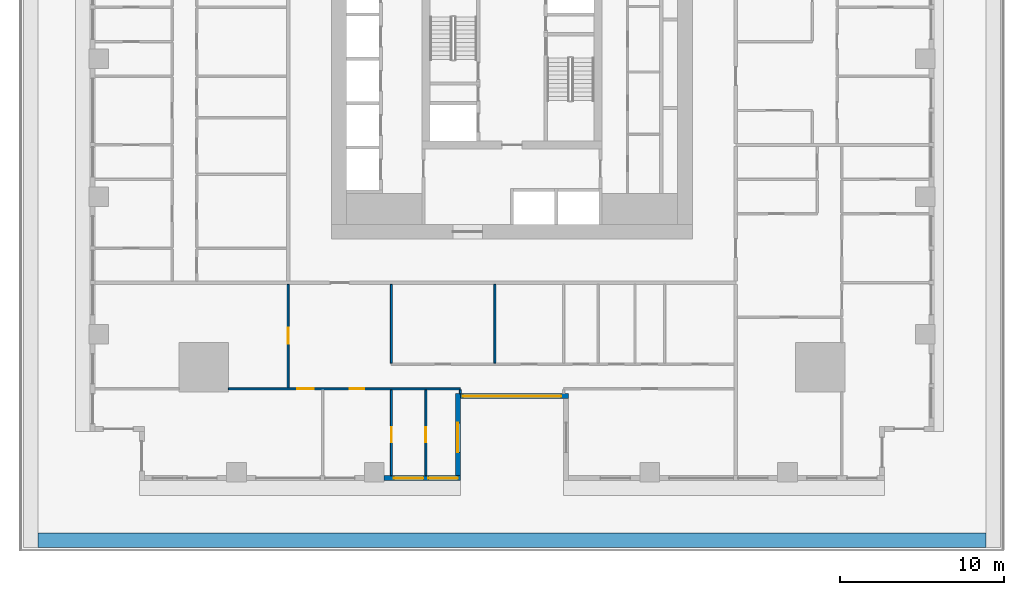
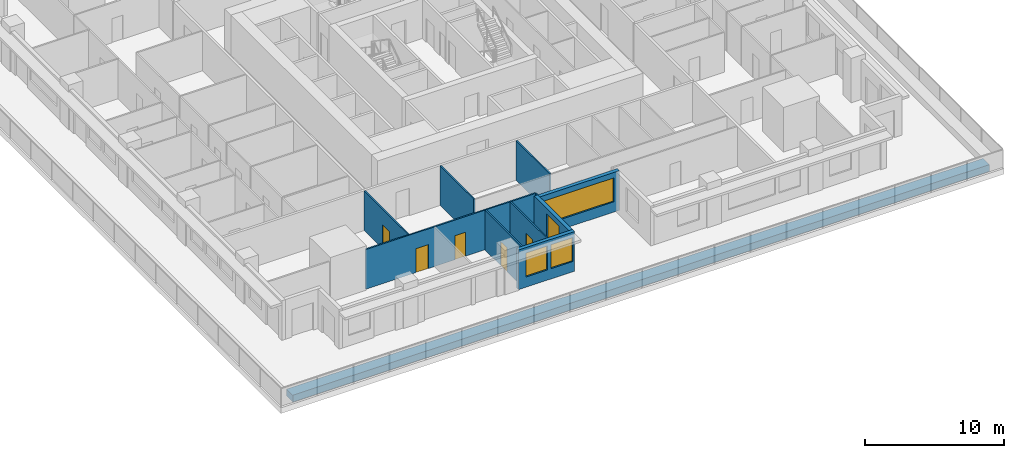
# One storey, part 2 of 16: 11 walls, 5 doors, 4 windows, 9 openings.
"""IFC4 building model written with IfcOpenShell, lengths in metres."""

from ifc_helpers import new_model, si_unit, direction, frame, frame_2d, origin, place, context, subcontext, project, spatial, rectangle, extrude, material, layer, layer_set, type_object, element, fill, save


model = new_model("IFC4")

# Units and contexts
model_context = context("Model", 3, precision=1e-05, world=origin(), true_north=direction((0.0, 1.0)))
body_context = subcontext(model_context, "Body", "Model", "MODEL_VIEW")
ifc_project = project(units=[si_unit("LENGTHUNIT", "METRE"), si_unit("AREAUNIT", "SQUARE_METRE"), si_unit("VOLUMEUNIT", "CUBIC_METRE"), si_unit("PLANEANGLEUNIT", "RADIAN"), si_unit("MASSUNIT", "GRAM", prefix="KILO")], contexts=[model_context])

# Site, building, storey
site_placement = place(None, origin())
site = spatial("IfcSite", under=ifc_project, at=site_placement, CompositionType="ELEMENT")
building_placement = place(site_placement, origin())
building = spatial("IfcBuilding", under=site, at=building_placement, Name="Khepri Terraces", CompositionType="ELEMENT")
storey_placement = place(building_placement, frame((0.0, 0.0, 27.0)))
storey = spatial("IfcBuildingStorey", under=building, at=storey_placement, Name="L05", CompositionType="ELEMENT", Elevation=27.0)

# Wall, openings, windows
ifc_material_1 = material(Name="Precast concrete C50/60 warm stone", Category="masonry")
ifc_layer_1 = layer(ifc_material_1, 0.300048828125, Name="Precast concrete C50/60 warm stone", Category="masonry")
ifc_layer_set_1 = layer_set([ifc_layer_1], Name="Precast concrete C50/60 warm stone")
wall_type_1 = type_object("IfcWallType", Name="WL-EXT-PRECAST-300", PredefinedType="STANDARD", material=ifc_layer_set_1)
wall_1_placement = place(storey_placement, frame((-7.800048828125, -25.570068359375, 0.0), z_axis=(0.0, 0.0, 1.0), x_axis=(1.0, 0.0, 0.0)))
wall_1 = element("IfcWall", 1, at=wall_1_placement, inside=storey, type_object=wall_type_1, Name="External wall L05 S", PredefinedType="STANDARD", context=body_context, shape_type="SweptSolid", body=[
    extrude(rectangle(XDim=4.650146484375, YDim=0.300048828125, at=frame_2d((2.3251953125, 0.0))), origin(), (0.0, 0.0, 1.0), 3.47998046875),
])
opening_1_placement = place(wall_1_placement, frame((0.60009765625, 0.0, 0.89990234375)))
opening_1 = element("IfcOpeningElement", 2, at=opening_1_placement, cuts=wall_1, Name="Opening W1", PredefinedType="OPENING", context=body_context, shape_type="SweptSolid", body=[
    extrude(rectangle(XDim=1.800048828125, YDim=2.10009765625, at=frame_2d((0.89990234375, 1.050048828125))), frame((0.0, 0.16015625, 0.0), z_axis=(0.0, -1.0, 0.0), x_axis=(1.0, 0.0, 0.0)), (0.0, 0.0, 1.0), 0.320068359375),
])
opening_2_placement = place(wall_1_placement, frame((2.699951171875, 0.0, 0.89990234375)))
opening_2 = element("IfcOpeningElement", 3, at=opening_2_placement, cuts=wall_1, Name="Opening W1", PredefinedType="OPENING", context=body_context, shape_type="SweptSolid", body=[
    extrude(rectangle(XDim=1.800048828125, YDim=2.10009765625, at=frame_2d((0.89990234375, 1.050048828125))), frame((0.0, 0.16015625, 0.0), z_axis=(0.0, -1.0, 0.0), x_axis=(1.0, 0.0, 0.0)), (0.0, 0.0, 1.0), 0.320068359375),
])
ifc_material_2 = material(Name="Clear glass", Category="glass")
window_type_1 = type_object("IfcWindowType", Name="WIN-RES-1800x2100", PartitioningType="SINGLE_PANEL", PredefinedType="WINDOW", material=ifc_material_2)
window_1_placement = place(opening_1_placement, origin())
window_1 = element("IfcWindow", 4, at=window_1_placement, inside=storey, type_object=window_type_1, Name="Window L05 S", OverallHeight=2.10009765625, OverallWidth=1.800048828125, PartitioningType="SINGLE_PANEL", PredefinedType="WINDOW", context=body_context, shape_type="SweptSolid", body=[
    extrude(rectangle(XDim=1.800048828125, YDim=2.10009765625, at=frame_2d((0.89990234375, 1.050048828125))), frame((0.0, 0.030029296875, 0.0), z_axis=(0.0, -1.0, 0.0), x_axis=(1.0, 0.0, 0.0)), (0.0, 0.0, 1.0), 0.06005859375),
])
fill(opening_1, window_1)
window_2_placement = place(opening_2_placement, origin())
window_2 = element("IfcWindow", 5, at=window_2_placement, inside=storey, type_object=window_type_1, Name="Window L05 S", OverallHeight=2.10009765625, OverallWidth=1.800048828125, PartitioningType="SINGLE_PANEL", PredefinedType="WINDOW", context=body_context, shape_type="SweptSolid", body=[
    extrude(rectangle(XDim=1.800048828125, YDim=2.10009765625, at=frame_2d((0.89990234375, 1.050048828125))), frame((0.0, 0.030029296875, 0.0), z_axis=(0.0, -1.0, 0.0), x_axis=(1.0, 0.0, 0.0)), (0.0, 0.0, 1.0), 0.06005859375),
])
fill(opening_2, window_2)

# Wall, opening, window
wall_2_placement = place(storey_placement, frame((-3.300048828125, -25.419921875, 0.0), z_axis=(0.0, 0.0, 1.0), x_axis=(0.0, 1.0, 0.0)))
wall_2 = element("IfcWall", 6, at=wall_2_placement, inside=storey, type_object=wall_type_1, Name="External wall L05 E", PredefinedType="STANDARD", context=body_context, shape_type="SweptSolid", body=[
    extrude(rectangle(XDim=5.0, YDim=0.300048828125, at=frame_2d((2.5, 0.0))), origin(), (0.0, 0.0, 1.0), 3.47998046875),
])
opening_3_placement = place(wall_2_placement, frame((1.419921875, 0.0, 0.89990234375)))
opening_3 = element("IfcOpeningElement", 7, at=opening_3_placement, cuts=wall_2, Name="Opening W1", PredefinedType="OPENING", context=body_context, shape_type="SweptSolid", body=[
    extrude(rectangle(XDim=1.800048828125, YDim=2.10009765625, at=frame_2d((0.89990234375, 1.050048828125))), frame((0.0, 0.16015625, 0.0), z_axis=(0.0, -1.0, 0.0), x_axis=(1.0, 0.0, 0.0)), (0.0, 0.0, 1.0), 0.320068359375),
])
window_3_placement = place(opening_3_placement, origin())
window_3 = element("IfcWindow", 8, at=window_3_placement, inside=storey, type_object=window_type_1, Name="Window L05 E", OverallHeight=2.10009765625, OverallWidth=1.800048828125, PartitioningType="SINGLE_PANEL", PredefinedType="WINDOW", context=body_context, shape_type="SweptSolid", body=[
    extrude(rectangle(XDim=1.800048828125, YDim=2.10009765625, at=frame_2d((0.89990234375, 1.050048828125))), frame((0.0, 0.030029296875, 0.0), z_axis=(0.0, -1.0, 0.0), x_axis=(1.0, 0.0, 0.0)), (0.0, 0.0, 1.0), 0.06005859375),
])
fill(opening_3, window_3)

wall_3_placement = place(storey_placement, frame((-3.14990234375, -20.570068359375, 0.0), z_axis=(0.0, 0.0, 1.0), x_axis=(1.0, 0.0, 0.0)))
wall_3 = element("IfcWall", 9, at=wall_3_placement, inside=storey, type_object=wall_type_1, Name="External wall L05 S", PredefinedType="STANDARD", context=body_context, shape_type="SweptSolid", body=[
    extrude(rectangle(XDim=6.599853515625, YDim=0.300048828125, at=frame_2d((3.2998046875, 0.0))), origin(), (0.0, 0.0, 1.0), 3.47998046875),
])
opening_4_placement = place(wall_3_placement, frame((0.14990234375, 0.0, 0.89990234375)))
opening_4 = element("IfcOpeningElement", 10, at=opening_4_placement, cuts=wall_3, Name="Opening W3", PredefinedType="OPENING", context=body_context, shape_type="SweptSolid", body=[
    extrude(rectangle(XDim=6.0, YDim=2.10009765625, at=frame_2d((3.0, 1.050048828125))), frame((0.0, 0.16015625, 0.0), z_axis=(0.0, -1.0, 0.0), x_axis=(1.0, 0.0, 0.0)), (0.0, 0.0, 1.0), 0.320068359375),
])
window_type_2 = type_object("IfcWindowType", Name="WIN-RES-6000x2100", PartitioningType="SINGLE_PANEL", PredefinedType="WINDOW", material=ifc_material_2)
window_4_placement = place(opening_4_placement, origin())
window_4 = element("IfcWindow", 11, at=window_4_placement, inside=storey, type_object=window_type_2, Name="Window L05 S", OverallHeight=2.10009765625, OverallWidth=6.0, PartitioningType="SINGLE_PANEL", PredefinedType="WINDOW", context=body_context, shape_type="SweptSolid", body=[
    extrude(rectangle(XDim=6.0, YDim=2.10009765625, at=frame_2d((3.0, 1.050048828125))), frame((0.0, 0.030029296875, 0.0), z_axis=(0.0, -1.0, 0.0), x_axis=(1.0, 0.0, 0.0)), (0.0, 0.0, 1.0), 0.06005859375),
])
fill(opening_4, window_4)

# Wall, opening, door
ifc_material_3 = material(Name="Gypsum plasterboard partition")
ifc_layer_2 = layer(ifc_material_3, 0.1201171875, Name="Gypsum plasterboard partition")
ifc_layer_set_2 = layer_set([ifc_layer_2], Name="Gypsum plasterboard partition")
wall_type_2 = type_object("IfcWallType", Name="WL-PART-120", PredefinedType="PARTITIONING", material=ifc_layer_set_2)
wall_4_placement = place(storey_placement, frame((-7.35009765625, -25.419921875, 0.0), z_axis=(0.0, 0.0, 1.0), x_axis=(0.0, 1.0, 0.0)))
wall_4 = element("IfcWall", 12, at=wall_4_placement, inside=storey, type_object=wall_type_2, Name="Partition P-002 L05", PredefinedType="PARTITIONING", context=body_context, shape_type="SweptSolid", body=[
    extrude(rectangle(XDim=5.239990234375, YDim=0.1201171875, at=frame_2d((2.6201171875, 0.0))), origin(), (0.0, 0.0, 1.0), 3.47998046875),
])
opening_5_placement = place(wall_4_placement, frame((2.050048828125, 0.0, 0.0)))
opening_5 = element("IfcOpeningElement", 13, at=opening_5_placement, cuts=wall_4, Name="Opening D3", PredefinedType="OPENING", context=body_context, shape_type="SweptSolid", body=[
    extrude(rectangle(XDim=0.89990234375, YDim=2.10009765625, at=frame_2d((0.449951171875, 1.050048828125))), frame((0.0, 0.070068359375, 0.0), z_axis=(0.0, -1.0, 0.0), x_axis=(1.0, 0.0, 0.0)), (0.0, 0.0, 1.0), 0.14013671875),
])
ifc_material_4 = material(Name="Timber door leaf", Category="wood")
door_type_1 = type_object("IfcDoorType", Name="DR-INT-900", OperationType="NOTDEFINED", PredefinedType="DOOR", material=ifc_material_4)
door_1_placement = place(opening_5_placement, frame((0.89990234375, 0.0, 0.0), z_axis=(0.0, 0.0, 1.0), x_axis=(-1.0, 0.0, 0.0)))
door_1 = element("IfcDoor", 14, at=door_1_placement, inside=storey, type_object=door_type_1, Name="Door Dressing Room", OperationType="SINGLE_SWING_RIGHT", OverallHeight=2.10009765625, OverallWidth=0.89990234375, PredefinedType="DOOR", context=body_context, shape_type="SweptSolid", body=[
    extrude(rectangle(XDim=0.89990234375, YDim=2.10009765625, at=frame_2d((0.449951171875, 1.050048828125))), frame((0.0, 0.02490234375, 0.0), z_axis=(0.0, -1.0, 0.0), x_axis=(1.0, 0.0, 0.0)), (0.0, 0.0, 1.0), 0.050048828125),
])
fill(opening_5, door_1)

wall_5_placement = place(storey_placement, frame((-5.25, -25.419921875, 0.0), z_axis=(0.0, 0.0, 1.0), x_axis=(0.0, 1.0, 0.0)))
wall_5 = element("IfcWall", 15, at=wall_5_placement, inside=storey, type_object=wall_type_2, Name="Partition P-003 L05", PredefinedType="PARTITIONING", context=body_context, shape_type="SweptSolid", body=[
    extrude(rectangle(XDim=5.239990234375, YDim=0.1201171875, at=frame_2d((2.6201171875, 0.0))), origin(), (0.0, 0.0, 1.0), 3.47998046875),
])
opening_6_placement = place(wall_5_placement, frame((2.050048828125, 0.0, 0.0)))
opening_6 = element("IfcOpeningElement", 16, at=opening_6_placement, cuts=wall_5, Name="Opening D4", PredefinedType="OPENING", context=body_context, shape_type="SweptSolid", body=[
    extrude(rectangle(XDim=0.89990234375, YDim=2.10009765625, at=frame_2d((0.449951171875, 1.050048828125))), frame((0.0, 0.070068359375, 0.0), z_axis=(0.0, -1.0, 0.0), x_axis=(1.0, 0.0, 0.0)), (0.0, 0.0, 1.0), 0.14013671875),
])
ifc_material_5 = material(Name="Timber door leaf, moisture resistant", Category="wood")
door_type_2 = type_object("IfcDoorType", Name="DR-WET-900", OperationType="NOTDEFINED", PredefinedType="DOOR", material=ifc_material_5)
door_2_placement = place(opening_6_placement, frame((0.89990234375, 0.0, 0.0), z_axis=(0.0, 0.0, 1.0), x_axis=(-1.0, 0.0, 0.0)))
door_2 = element("IfcDoor", 17, at=door_2_placement, inside=storey, type_object=door_type_2, Name="Door Bathroom", OperationType="SINGLE_SWING_RIGHT", OverallHeight=2.10009765625, OverallWidth=0.89990234375, PredefinedType="DOOR", context=body_context, shape_type="SweptSolid", body=[
    extrude(rectangle(XDim=0.89990234375, YDim=2.10009765625, at=frame_2d((0.449951171875, 1.050048828125))), frame((0.0, 0.02490234375, 0.0), z_axis=(0.0, -1.0, 0.0), x_axis=(1.0, 0.0, 0.0)), (0.0, 0.0, 1.0), 0.050048828125),
])
fill(opening_6, door_2)

# Wall
wall_6_placement = place(storey_placement, frame((-3.14990234375, -20.419921875, 0.0), z_axis=(0.0, 0.0, 1.0), x_axis=(0.0, 1.0, 0.0)))
element("IfcWall", 18, at=wall_6_placement, inside=storey, type_object=wall_type_2, Name="Partition P-006 L05", PredefinedType="PARTITIONING", context=body_context, shape_type="SweptSolid", body=[
    extrude(rectangle(XDim=0.239990234375, YDim=0.1201171875, at=frame_2d((0.1201171875, 0.0))), origin(), (0.0, 0.0, 1.0), 3.47998046875),
])

# Wall, openings, doors
wall_7_placement = place(storey_placement, frame((-17.300048828125, -20.1201171875, 0.0), z_axis=(0.0, 0.0, 1.0), x_axis=(1.0, 0.0, 0.0)))
wall_7 = element("IfcWall", 19, at=wall_7_placement, inside=storey, type_object=wall_type_2, Name="Partition P-009 L05", PredefinedType="PARTITIONING", context=body_context, shape_type="SweptSolid", body=[
    extrude(rectangle(XDim=14.150146484375, YDim=0.1201171875, at=frame_2d((7.0751953125, 0.0))), origin(), (0.0, 0.0, 1.0), 3.47998046875),
])
opening_7_placement = place(wall_7_placement, frame((4.199951171875, 0.0, 0.0)))
opening_7 = element("IfcOpeningElement", 20, at=opening_7_placement, cuts=wall_7, Name="Opening D2", PredefinedType="OPENING", context=body_context, shape_type="SweptSolid", body=[
    extrude(rectangle(XDim=1.0, YDim=2.10009765625, at=frame_2d((0.5, 1.050048828125))), frame((0.0, 0.070068359375, 0.0), z_axis=(0.0, -1.0, 0.0), x_axis=(1.0, 0.0, 0.0)), (0.0, 0.0, 1.0), 0.14013671875),
])
opening_8_placement = place(wall_7_placement, frame((7.39990234375, 0.0, 0.0)))
opening_8 = element("IfcOpeningElement", 21, at=opening_8_placement, cuts=wall_7, Name="Opening D3", PredefinedType="OPENING", context=body_context, shape_type="SweptSolid", body=[
    extrude(rectangle(XDim=0.89990234375, YDim=2.10009765625, at=frame_2d((0.449951171875, 1.050048828125))), frame((0.0, 0.070068359375, 0.0), z_axis=(0.0, -1.0, 0.0), x_axis=(1.0, 0.0, 0.0)), (0.0, 0.0, 1.0), 0.14013671875),
])
ifc_material_6 = material(Name="Timber door leaf, living room door", Category="wood")
door_type_3 = type_object("IfcDoorType", Name="DR-INT-1000", OperationType="NOTDEFINED", PredefinedType="DOOR", material=ifc_material_6)
door_3_placement = place(opening_7_placement, frame((1.0, 0.0, 0.0), z_axis=(0.0, 0.0, 1.0), x_axis=(-1.0, 0.0, 0.0)))
door_3 = element("IfcDoor", 22, at=door_3_placement, inside=storey, type_object=door_type_3, Name="Door Living Room", OperationType="SINGLE_SWING_RIGHT", OverallHeight=2.10009765625, OverallWidth=1.0, PredefinedType="DOOR", context=body_context, shape_type="SweptSolid", body=[
    extrude(rectangle(XDim=1.0, YDim=2.10009765625, at=frame_2d((0.5, 1.050048828125))), frame((0.0, 0.02490234375, 0.0), z_axis=(0.0, -1.0, 0.0), x_axis=(1.0, 0.0, 0.0)), (0.0, 0.0, 1.0), 0.050048828125),
])
fill(opening_7, door_3)
door_4_placement = place(opening_8_placement, frame((0.89990234375, 0.0, 0.0), z_axis=(0.0, 0.0, 1.0), x_axis=(-1.0, 0.0, 0.0)))
door_4 = element("IfcDoor", 23, at=door_4_placement, inside=storey, type_object=door_type_1, Name="Door Master Bedroom", OperationType="SINGLE_SWING_LEFT", OverallHeight=2.10009765625, OverallWidth=0.89990234375, PredefinedType="DOOR", context=body_context, shape_type="SweptSolid", body=[
    extrude(rectangle(XDim=0.89990234375, YDim=2.10009765625, at=frame_2d((0.449951171875, 1.050048828125))), frame((0.0, 0.02490234375, 0.0), z_axis=(0.0, -1.0, 0.0), x_axis=(1.0, 0.0, 0.0)), (0.0, 0.0, 1.0), 0.050048828125),
])
fill(opening_8, door_4)

# Wall, opening, door
wall_8_placement = place(storey_placement, frame((-13.64990234375, -20.06005859375, 0.0), z_axis=(0.0, 0.0, 1.0), x_axis=(0.0, 1.0, 0.0)))
wall_8 = element("IfcWall", 24, at=wall_8_placement, inside=storey, type_object=wall_type_2, Name="Partition P-011 L05", PredefinedType="PARTITIONING", context=body_context, shape_type="SweptSolid", body=[
    extrude(rectangle(XDim=6.31005859375, YDim=0.1201171875, at=frame_2d((3.155029296875, 0.0))), origin(), (0.0, 0.0, 1.0), 3.47998046875),
])
opening_9_placement = place(wall_8_placement, frame((2.675048828125, 0.0, 0.0)))
opening_9 = element("IfcOpeningElement", 25, at=opening_9_placement, cuts=wall_8, Name="Opening D2", PredefinedType="OPENING", context=body_context, shape_type="SweptSolid", body=[
    extrude(rectangle(XDim=1.0, YDim=2.10009765625, at=frame_2d((0.5, 1.050048828125))), frame((0.0, 0.070068359375, 0.0), z_axis=(0.0, -1.0, 0.0), x_axis=(1.0, 0.0, 0.0)), (0.0, 0.0, 1.0), 0.14013671875),
])
door_5_placement = place(opening_9_placement, origin())
door_5 = element("IfcDoor", 26, at=door_5_placement, inside=storey, type_object=door_type_3, Name="Door Family Room", OperationType="SINGLE_SWING_RIGHT", OverallHeight=2.10009765625, OverallWidth=1.0, PredefinedType="DOOR", context=body_context, shape_type="SweptSolid", body=[
    extrude(rectangle(XDim=1.0, YDim=2.10009765625, at=frame_2d((0.5, 1.050048828125))), frame((0.0, 0.02490234375, 0.0), z_axis=(0.0, -1.0, 0.0), x_axis=(1.0, 0.0, 0.0)), (0.0, 0.0, 1.0), 0.050048828125),
])
fill(opening_9, door_5)

# Walls
for number, where, z_axis, x_axis, name in (
    (27, (-7.35009765625, -18.56005859375, 0.0), (0.0, 0.0, 1.0), (0.0, 1.0, 0.0), "Partition P-013 L05"),
    (28, (-1.050048828125, -18.56005859375, 0.0), (0.0, 0.0, 1.0), (0.0, 1.0, 0.0), "Partition P-014 L05"),
):
    element("IfcWall", number, at=place(storey_placement, frame(where, z_axis=z_axis, x_axis=x_axis)), inside=storey, type_object=wall_type_2, Name=name, PredefinedType="PARTITIONING", context=body_context, shape_type="SweptSolid", body=[
        extrude(rectangle(XDim=4.81005859375, YDim=0.1201171875, at=frame_2d((2.405029296875, 0.0))), origin(), (0.0, 0.0, 1.0), 3.47998046875),
    ])
ifc_layer_3 = layer(ifc_material_1, 0.89990234375, Name="Precast concrete C50/60 warm stone", Category="masonry")
ifc_layer_set_3 = layer_set([ifc_layer_3], Name="Precast concrete C50/60 warm stone")
wall_type_3 = type_object("IfcWallType", Name="WL-PLANTER-900", PredefinedType="MOVABLE", material=ifc_layer_set_3)
wall_9_placement = place(storey_placement, frame((-28.89990234375, -29.35009765625, 0.0), z_axis=(0.0, 0.0, 1.0), x_axis=(1.0, 0.0, 0.0)))
element("IfcWall", 29, at=wall_9_placement, inside=storey, type_object=wall_type_3, Name="Planter L05", PredefinedType="MOVABLE", context=body_context, shape_type="SweptSolid", body=[
    extrude(rectangle(XDim=57.7998046875, YDim=0.89990234375, at=frame_2d((28.89990234375, 0.0))), origin(), (0.0, 0.0, 1.0), 0.60009765625),
])

save(model, "model.ifc")
